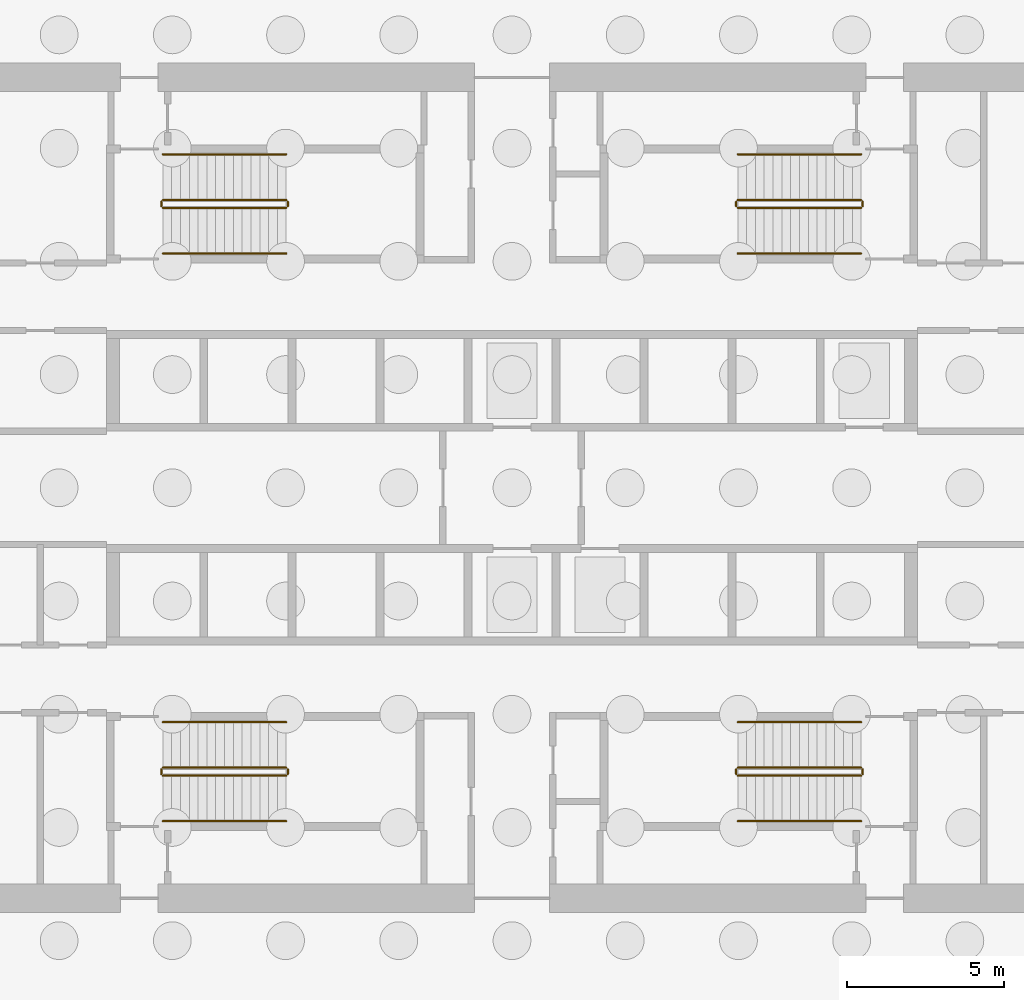
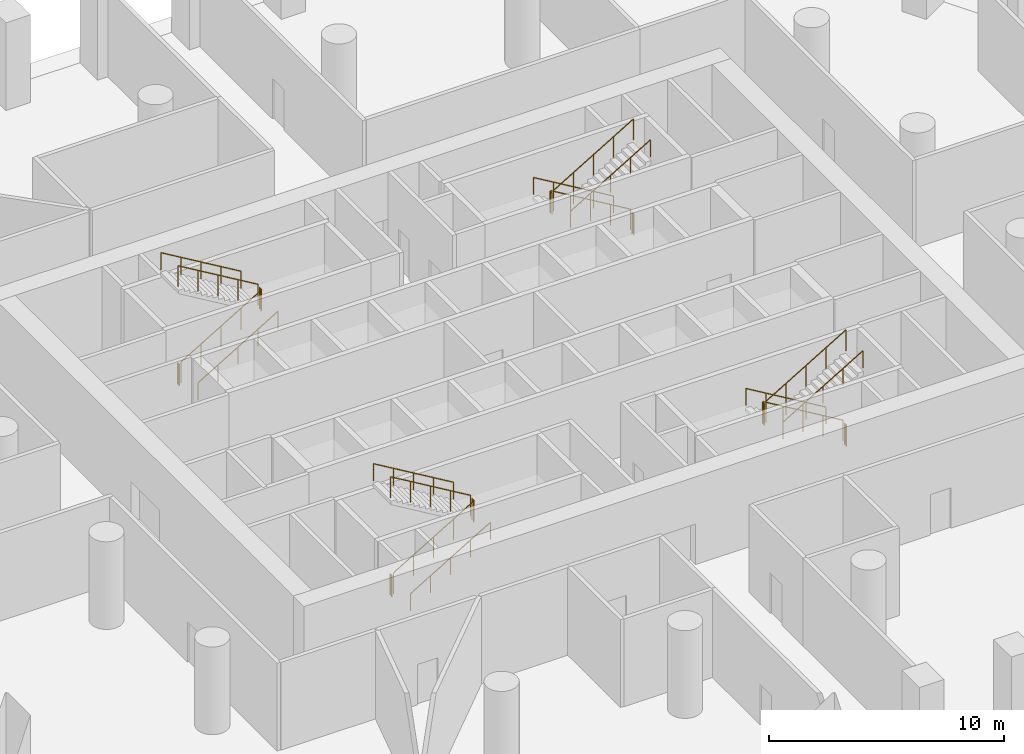
# One storey, part 8 of 9: 24 railings.
"""IFC4 building model written with IfcOpenShell, lengths in metres."""

from ifc_helpers import new_model, si_unit, direction, frame, origin, origin_2d, place, context, subcontext, project, spatial, circle, extrude, material, type_object, element, save


model = new_model("IFC4")

# Units and contexts
model_context = context("Model", 3, precision=1e-05, world=origin(), true_north=direction((0.0, 1.0)))
body_context = subcontext(model_context, "Body", "Model", "MODEL_VIEW")
ifc_project = project(units=[si_unit("LENGTHUNIT", "METRE"), si_unit("AREAUNIT", "SQUARE_METRE"), si_unit("VOLUMEUNIT", "CUBIC_METRE"), si_unit("PLANEANGLEUNIT", "RADIAN"), si_unit("MASSUNIT", "GRAM", prefix="KILO")], contexts=[model_context])

# Site, building, storey
site_placement = place(None, origin())
site = spatial("IfcSite", under=ifc_project, at=site_placement, CompositionType="ELEMENT")
building_placement = place(site_placement, origin())
building = spatial("IfcBuilding", under=site, at=building_placement, Name="Dhurran Vertical Campus", CompositionType="ELEMENT")
storey_placement = place(building_placement, frame((0.0, 0.0, -5.0)))
storey = spatial("IfcBuildingStorey", under=building, at=storey_placement, Name="B1", CompositionType="ELEMENT", Elevation=-5.0)

# Railings
ifc_material_1 = material(Name="Stainless steel balustrade", Category="steel")
railing_type_1 = type_object("IfcRailingType", Name="co-RL-GUARD-1100", PredefinedType="GUARDRAIL", material=ifc_material_1)
railing_1_placement = place(storey_placement, frame((-11.10009765625, 8.89990234375, 0.166748046875)))
element("IfcRailing", 1, at=railing_1_placement, inside=storey, type_object=railing_type_1, Name="B1 ST1 stair guard 1", PredefinedType="GUARDRAIL", context=body_context, shape_type="SweptSolid", body=[
    extrude(circle(Radius=0.02392578125, at=origin_2d()), frame((0.0, 0.0, 1.076171875), z_axis=(0.859310244771, 0.0, 0.511454693235), x_axis=(0.0, 1.0, 0.0)), (0.0, 0.0, 1.0), 4.56201171875),
    extrude(circle(Radius=0.02099609375, at=origin_2d()), origin(), (0.0, 0.0, 1.0), 1.052001953125),
    extrude(circle(Radius=0.02099609375, at=origin_2d()), frame((0.97998046875, 0.0, 0.583251953125)), (0.0, 0.0, 1.0), 1.052001953125),
    extrude(circle(Radius=0.02099609375, at=origin_2d()), frame((1.9599609375, 0.0, 1.16650390625)), (0.0, 0.0, 1.0), 1.052001953125),
    extrude(circle(Radius=0.02099609375, at=origin_2d()), frame((2.940185546875, 0.0, 1.75)), (0.0, 0.0, 1.0), 1.052001953125),
    extrude(circle(Radius=0.02099609375, at=origin_2d()), frame((3.920166015625, 0.0, 2.333251953125)), (0.0, 0.0, 1.0), 1.052001953125),
])
railing_2_placement = place(storey_placement, frame((-7.1298828125, 8.949951171875, 2.5)))
element("IfcRailing", 2, at=railing_2_placement, inside=storey, type_object=railing_type_1, Name="B1 ST1 stair guard 2", PredefinedType="GUARDRAIL", context=body_context, shape_type="SweptSolid", body=[
    extrude(circle(Radius=0.02392578125, at=origin_2d()), frame((0.0, 0.0, 1.076171875), z_axis=(0.0, 1.0, 0.0), x_axis=(-1.0, 0.0, 0.0)), (0.0, 0.0, 1.0), 0.150146484375),
    extrude(circle(Radius=0.02099609375, at=origin_2d()), origin(), (0.0, 0.0, 1.0), 1.052001953125),
    extrude(circle(Radius=0.02099609375, at=origin_2d()), frame((0.0, 0.150146484375, 0.0)), (0.0, 0.0, 1.0), 1.052001953125),
])
railing_3_placement = place(storey_placement, frame((-7.179931640625, 9.14990234375, 2.666748046875)))
element("IfcRailing", 3, at=railing_3_placement, inside=storey, type_object=railing_type_1, Name="B1 ST1 stair guard 3", PredefinedType="GUARDRAIL", context=body_context, shape_type="SweptSolid", body=[
    extrude(circle(Radius=0.02392578125, at=origin_2d()), frame((0.0, 0.0, 1.076171875), z_axis=(-0.859310244771, 0.0, 0.511454693235), x_axis=(0.0, -1.0, 0.0)), (0.0, 0.0, 1.0), 4.56201171875),
    extrude(circle(Radius=0.02099609375, at=origin_2d()), origin(), (0.0, 0.0, 1.0), 1.052001953125),
    extrude(circle(Radius=0.02099609375, at=origin_2d()), frame((-0.97998046875, 0.0, 0.583251953125)), (0.0, 0.0, 1.0), 1.052001953125),
    extrude(circle(Radius=0.02099609375, at=origin_2d()), frame((-1.9599609375, 0.0, 1.16650390625)), (0.0, 0.0, 1.0), 1.052001953125),
    extrude(circle(Radius=0.02099609375, at=origin_2d()), frame((-2.940185546875, 0.0, 1.75)), (0.0, 0.0, 1.0), 1.052001953125),
    extrude(circle(Radius=0.02099609375, at=origin_2d()), frame((-3.920166015625, 0.0, 2.333251953125)), (0.0, 0.0, 1.0), 1.052001953125),
])
railing_4_placement = place(storey_placement, frame((-11.14990234375, 8.949951171875, 0.0)))
element("IfcRailing", 4, at=railing_4_placement, inside=storey, type_object=railing_type_1, Name="B1 ST1 stair guard 4", PredefinedType="GUARDRAIL", context=body_context, shape_type="SweptSolid", body=[
    extrude(circle(Radius=0.02392578125, at=origin_2d()), frame((0.0, 0.0, 1.076171875), z_axis=(0.0, 1.0, 0.0), x_axis=(-1.0, 0.0, 0.0)), (0.0, 0.0, 1.0), 0.150146484375),
    extrude(circle(Radius=0.02099609375, at=origin_2d()), origin(), (0.0, 0.0, 1.0), 1.052001953125),
    extrude(circle(Radius=0.02099609375, at=origin_2d()), frame((0.0, 0.150146484375, 0.0)), (0.0, 0.0, 1.0), 1.052001953125),
])
railing_5_placement = place(storey_placement, frame((11.10009765625, 9.14990234375, 0.166748046875)))
element("IfcRailing", 5, at=railing_5_placement, inside=storey, type_object=railing_type_1, Name="B1 ST2 stair guard 1", PredefinedType="GUARDRAIL", context=body_context, shape_type="SweptSolid", body=[
    extrude(circle(Radius=0.02392578125, at=origin_2d()), frame((0.0, 0.0, 1.076171875), z_axis=(-0.859310244771, 0.0, 0.511454693235), x_axis=(0.0, -1.0, 0.0)), (0.0, 0.0, 1.0), 4.56201171875),
    extrude(circle(Radius=0.02099609375, at=origin_2d()), origin(), (0.0, 0.0, 1.0), 1.052001953125),
    extrude(circle(Radius=0.02099609375, at=origin_2d()), frame((-0.97998046875, 0.0, 0.583251953125)), (0.0, 0.0, 1.0), 1.052001953125),
    extrude(circle(Radius=0.02099609375, at=origin_2d()), frame((-1.9599609375, 0.0, 1.16650390625)), (0.0, 0.0, 1.0), 1.052001953125),
    extrude(circle(Radius=0.02099609375, at=origin_2d()), frame((-2.940185546875, 0.0, 1.75)), (0.0, 0.0, 1.0), 1.052001953125),
    extrude(circle(Radius=0.02099609375, at=origin_2d()), frame((-3.920166015625, 0.0, 2.333251953125)), (0.0, 0.0, 1.0), 1.052001953125),
])
railing_6_placement = place(storey_placement, frame((7.1298828125, 9.10009765625, 2.5)))
element("IfcRailing", 6, at=railing_6_placement, inside=storey, type_object=railing_type_1, Name="B1 ST2 stair guard 2", PredefinedType="GUARDRAIL", context=body_context, shape_type="SweptSolid", body=[
    extrude(circle(Radius=0.02392578125, at=origin_2d()), frame((0.0, 0.0, 1.076171875), z_axis=(0.0, -1.0, 0.0), x_axis=(1.0, 0.0, 0.0)), (0.0, 0.0, 1.0), 0.150146484375),
    extrude(circle(Radius=0.02099609375, at=origin_2d()), origin(), (0.0, 0.0, 1.0), 1.052001953125),
    extrude(circle(Radius=0.02099609375, at=origin_2d()), frame((0.0, -0.150146484375, 0.0)), (0.0, 0.0, 1.0), 1.052001953125),
])
railing_7_placement = place(storey_placement, frame((7.179931640625, 8.89990234375, 2.666748046875)))
element("IfcRailing", 7, at=railing_7_placement, inside=storey, type_object=railing_type_1, Name="B1 ST2 stair guard 3", PredefinedType="GUARDRAIL", context=body_context, shape_type="SweptSolid", body=[
    extrude(circle(Radius=0.02392578125, at=origin_2d()), frame((0.0, 0.0, 1.076171875), z_axis=(0.859310244771, 0.0, 0.511454693235), x_axis=(0.0, 1.0, 0.0)), (0.0, 0.0, 1.0), 4.56201171875),
    extrude(circle(Radius=0.02099609375, at=origin_2d()), origin(), (0.0, 0.0, 1.0), 1.052001953125),
    extrude(circle(Radius=0.02099609375, at=origin_2d()), frame((0.97998046875, 0.0, 0.583251953125)), (0.0, 0.0, 1.0), 1.052001953125),
    extrude(circle(Radius=0.02099609375, at=origin_2d()), frame((1.9599609375, 0.0, 1.16650390625)), (0.0, 0.0, 1.0), 1.052001953125),
    extrude(circle(Radius=0.02099609375, at=origin_2d()), frame((2.940185546875, 0.0, 1.75)), (0.0, 0.0, 1.0), 1.052001953125),
    extrude(circle(Radius=0.02099609375, at=origin_2d()), frame((3.920166015625, 0.0, 2.333251953125)), (0.0, 0.0, 1.0), 1.052001953125),
])
railing_8_placement = place(storey_placement, frame((11.14990234375, 9.10009765625, 0.0)))
element("IfcRailing", 8, at=railing_8_placement, inside=storey, type_object=railing_type_1, Name="B1 ST2 stair guard 4", PredefinedType="GUARDRAIL", context=body_context, shape_type="SweptSolid", body=[
    extrude(circle(Radius=0.02392578125, at=origin_2d()), frame((0.0, 0.0, 1.076171875), z_axis=(0.0, -1.0, 0.0), x_axis=(1.0, 0.0, 0.0)), (0.0, 0.0, 1.0), 0.150146484375),
    extrude(circle(Radius=0.02099609375, at=origin_2d()), origin(), (0.0, 0.0, 1.0), 1.052001953125),
    extrude(circle(Radius=0.02099609375, at=origin_2d()), frame((0.0, -0.150146484375, 0.0)), (0.0, 0.0, 1.0), 1.052001953125),
])
railing_9_placement = place(storey_placement, frame((-11.10009765625, -9.14990234375, 0.166748046875)))
element("IfcRailing", 9, at=railing_9_placement, inside=storey, type_object=railing_type_1, Name="B1 ST3 stair guard 1", PredefinedType="GUARDRAIL", context=body_context, shape_type="SweptSolid", body=[
    extrude(circle(Radius=0.02392578125, at=origin_2d()), frame((0.0, 0.0, 1.076171875), z_axis=(0.859310244771, 0.0, 0.511454693235), x_axis=(0.0, 1.0, 0.0)), (0.0, 0.0, 1.0), 4.56201171875),
    extrude(circle(Radius=0.02099609375, at=origin_2d()), origin(), (0.0, 0.0, 1.0), 1.052001953125),
    extrude(circle(Radius=0.02099609375, at=origin_2d()), frame((0.97998046875, 0.0, 0.583251953125)), (0.0, 0.0, 1.0), 1.052001953125),
    extrude(circle(Radius=0.02099609375, at=origin_2d()), frame((1.9599609375, 0.0, 1.16650390625)), (0.0, 0.0, 1.0), 1.052001953125),
    extrude(circle(Radius=0.02099609375, at=origin_2d()), frame((2.940185546875, 0.0, 1.75)), (0.0, 0.0, 1.0), 1.052001953125),
    extrude(circle(Radius=0.02099609375, at=origin_2d()), frame((3.920166015625, 0.0, 2.333251953125)), (0.0, 0.0, 1.0), 1.052001953125),
])
railing_10_placement = place(storey_placement, frame((-7.1298828125, -9.10009765625, 2.5)))
element("IfcRailing", 10, at=railing_10_placement, inside=storey, type_object=railing_type_1, Name="B1 ST3 stair guard 2", PredefinedType="GUARDRAIL", context=body_context, shape_type="SweptSolid", body=[
    extrude(circle(Radius=0.02392578125, at=origin_2d()), frame((0.0, 0.0, 1.076171875), z_axis=(0.0, 1.0, 0.0), x_axis=(-1.0, 0.0, 0.0)), (0.0, 0.0, 1.0), 0.150146484375),
    extrude(circle(Radius=0.02099609375, at=origin_2d()), origin(), (0.0, 0.0, 1.0), 1.052001953125),
    extrude(circle(Radius=0.02099609375, at=origin_2d()), frame((0.0, 0.150146484375, 0.0)), (0.0, 0.0, 1.0), 1.052001953125),
])
railing_11_placement = place(storey_placement, frame((-7.179931640625, -8.89990234375, 2.666748046875)))
element("IfcRailing", 11, at=railing_11_placement, inside=storey, type_object=railing_type_1, Name="B1 ST3 stair guard 3", PredefinedType="GUARDRAIL", context=body_context, shape_type="SweptSolid", body=[
    extrude(circle(Radius=0.02392578125, at=origin_2d()), frame((0.0, 0.0, 1.076171875), z_axis=(-0.859310244771, 0.0, 0.511454693235), x_axis=(0.0, -1.0, 0.0)), (0.0, 0.0, 1.0), 4.56201171875),
    extrude(circle(Radius=0.02099609375, at=origin_2d()), origin(), (0.0, 0.0, 1.0), 1.052001953125),
    extrude(circle(Radius=0.02099609375, at=origin_2d()), frame((-0.97998046875, 0.0, 0.583251953125)), (0.0, 0.0, 1.0), 1.052001953125),
    extrude(circle(Radius=0.02099609375, at=origin_2d()), frame((-1.9599609375, 0.0, 1.16650390625)), (0.0, 0.0, 1.0), 1.052001953125),
    extrude(circle(Radius=0.02099609375, at=origin_2d()), frame((-2.940185546875, 0.0, 1.75)), (0.0, 0.0, 1.0), 1.052001953125),
    extrude(circle(Radius=0.02099609375, at=origin_2d()), frame((-3.920166015625, 0.0, 2.333251953125)), (0.0, 0.0, 1.0), 1.052001953125),
])
railing_12_placement = place(storey_placement, frame((-11.14990234375, -9.10009765625, 0.0)))
element("IfcRailing", 12, at=railing_12_placement, inside=storey, type_object=railing_type_1, Name="B1 ST3 stair guard 4", PredefinedType="GUARDRAIL", context=body_context, shape_type="SweptSolid", body=[
    extrude(circle(Radius=0.02392578125, at=origin_2d()), frame((0.0, 0.0, 1.076171875), z_axis=(0.0, 1.0, 0.0), x_axis=(-1.0, 0.0, 0.0)), (0.0, 0.0, 1.0), 0.150146484375),
    extrude(circle(Radius=0.02099609375, at=origin_2d()), origin(), (0.0, 0.0, 1.0), 1.052001953125),
    extrude(circle(Radius=0.02099609375, at=origin_2d()), frame((0.0, 0.150146484375, 0.0)), (0.0, 0.0, 1.0), 1.052001953125),
])
railing_13_placement = place(storey_placement, frame((11.10009765625, -8.89990234375, 0.166748046875)))
element("IfcRailing", 13, at=railing_13_placement, inside=storey, type_object=railing_type_1, Name="B1 ST4 stair guard 1", PredefinedType="GUARDRAIL", context=body_context, shape_type="SweptSolid", body=[
    extrude(circle(Radius=0.02392578125, at=origin_2d()), frame((0.0, 0.0, 1.076171875), z_axis=(-0.859310244771, 0.0, 0.511454693235), x_axis=(0.0, -1.0, 0.0)), (0.0, 0.0, 1.0), 4.56201171875),
    extrude(circle(Radius=0.02099609375, at=origin_2d()), origin(), (0.0, 0.0, 1.0), 1.052001953125),
    extrude(circle(Radius=0.02099609375, at=origin_2d()), frame((-0.97998046875, 0.0, 0.583251953125)), (0.0, 0.0, 1.0), 1.052001953125),
    extrude(circle(Radius=0.02099609375, at=origin_2d()), frame((-1.9599609375, 0.0, 1.16650390625)), (0.0, 0.0, 1.0), 1.052001953125),
    extrude(circle(Radius=0.02099609375, at=origin_2d()), frame((-2.940185546875, 0.0, 1.75)), (0.0, 0.0, 1.0), 1.052001953125),
    extrude(circle(Radius=0.02099609375, at=origin_2d()), frame((-3.920166015625, 0.0, 2.333251953125)), (0.0, 0.0, 1.0), 1.052001953125),
])
railing_14_placement = place(storey_placement, frame((7.1298828125, -8.949951171875, 2.5)))
element("IfcRailing", 14, at=railing_14_placement, inside=storey, type_object=railing_type_1, Name="B1 ST4 stair guard 2", PredefinedType="GUARDRAIL", context=body_context, shape_type="SweptSolid", body=[
    extrude(circle(Radius=0.02392578125, at=origin_2d()), frame((0.0, 0.0, 1.076171875), z_axis=(0.0, -1.0, 0.0), x_axis=(1.0, 0.0, 0.0)), (0.0, 0.0, 1.0), 0.150146484375),
    extrude(circle(Radius=0.02099609375, at=origin_2d()), origin(), (0.0, 0.0, 1.0), 1.052001953125),
    extrude(circle(Radius=0.02099609375, at=origin_2d()), frame((0.0, -0.150146484375, 0.0)), (0.0, 0.0, 1.0), 1.052001953125),
])
railing_15_placement = place(storey_placement, frame((7.179931640625, -9.14990234375, 2.666748046875)))
element("IfcRailing", 15, at=railing_15_placement, inside=storey, type_object=railing_type_1, Name="B1 ST4 stair guard 3", PredefinedType="GUARDRAIL", context=body_context, shape_type="SweptSolid", body=[
    extrude(circle(Radius=0.02392578125, at=origin_2d()), frame((0.0, 0.0, 1.076171875), z_axis=(0.859310244771, 0.0, 0.511454693235), x_axis=(0.0, 1.0, 0.0)), (0.0, 0.0, 1.0), 4.56201171875),
    extrude(circle(Radius=0.02099609375, at=origin_2d()), origin(), (0.0, 0.0, 1.0), 1.052001953125),
    extrude(circle(Radius=0.02099609375, at=origin_2d()), frame((0.97998046875, 0.0, 0.583251953125)), (0.0, 0.0, 1.0), 1.052001953125),
    extrude(circle(Radius=0.02099609375, at=origin_2d()), frame((1.9599609375, 0.0, 1.16650390625)), (0.0, 0.0, 1.0), 1.052001953125),
    extrude(circle(Radius=0.02099609375, at=origin_2d()), frame((2.940185546875, 0.0, 1.75)), (0.0, 0.0, 1.0), 1.052001953125),
    extrude(circle(Radius=0.02099609375, at=origin_2d()), frame((3.920166015625, 0.0, 2.333251953125)), (0.0, 0.0, 1.0), 1.052001953125),
])
railing_16_placement = place(storey_placement, frame((11.14990234375, -8.949951171875, 0.0)))
element("IfcRailing", 16, at=railing_16_placement, inside=storey, type_object=railing_type_1, Name="B1 ST4 stair guard 4", PredefinedType="GUARDRAIL", context=body_context, shape_type="SweptSolid", body=[
    extrude(circle(Radius=0.02392578125, at=origin_2d()), frame((0.0, 0.0, 1.076171875), z_axis=(0.0, -1.0, 0.0), x_axis=(1.0, 0.0, 0.0)), (0.0, 0.0, 1.0), 0.150146484375),
    extrude(circle(Radius=0.02099609375, at=origin_2d()), origin(), (0.0, 0.0, 1.0), 1.052001953125),
    extrude(circle(Radius=0.02099609375, at=origin_2d()), frame((0.0, -0.150146484375, 0.0)), (0.0, 0.0, 1.0), 1.052001953125),
])
ifc_material_2 = material(Name="Stainless steel handrail", Category="steel")
railing_type_2 = type_object("IfcRailingType", Name="co-RL-HANDRAIL-900", PredefinedType="HANDRAIL", material=ifc_material_2)
railing_17_placement = place(storey_placement, frame((-11.10009765625, 7.449951171875, 0.166748046875)))
element("IfcRailing", 17, at=railing_17_placement, inside=storey, type_object=railing_type_2, Name="B1 ST1 stair handrail 1", PredefinedType="HANDRAIL", context=body_context, shape_type="SweptSolid", body=[
    extrude(circle(Radius=0.02392578125, at=origin_2d()), frame((0.0, 0.0, 0.8759765625), z_axis=(0.859310244771, 0.0, 0.511454693235), x_axis=(0.0, 1.0, 0.0)), (0.0, 0.0, 1.0), 4.56201171875),
    extrude(circle(Radius=0.02099609375, at=origin_2d()), origin(), (0.0, 0.0, 1.0), 0.851806640625),
    extrude(circle(Radius=0.02099609375, at=origin_2d()), frame((0.97998046875, 0.0, 0.583251953125)), (0.0, 0.0, 1.0), 0.851806640625),
    extrude(circle(Radius=0.02099609375, at=origin_2d()), frame((1.9599609375, 0.0, 1.16650390625)), (0.0, 0.0, 1.0), 0.851806640625),
    extrude(circle(Radius=0.02099609375, at=origin_2d()), frame((2.940185546875, 0.0, 1.75)), (0.0, 0.0, 1.0), 0.851806640625),
    extrude(circle(Radius=0.02099609375, at=origin_2d()), frame((3.920166015625, 0.0, 2.333251953125)), (0.0, 0.0, 1.0), 0.851806640625),
])
for number, where, name in (
    (18, (-7.179931640625, 10.60009765625, 2.666748046875), "B1 ST1 stair handrail 2"),
    (19, (11.10009765625, 10.60009765625, 0.166748046875), "B1 ST2 stair handrail 1"),
):
    element("IfcRailing", number, at=place(storey_placement, frame(where)), inside=storey, type_object=railing_type_2, Name=name, PredefinedType="HANDRAIL", context=body_context, shape_type="SweptSolid", body=[
        extrude(circle(Radius=0.02392578125, at=origin_2d()), frame((0.0, 0.0, 0.8759765625), z_axis=(-0.859310244771, 0.0, 0.511454693235), x_axis=(0.0, -1.0, 0.0)), (0.0, 0.0, 1.0), 4.56201171875),
        extrude(circle(Radius=0.02099609375, at=origin_2d()), origin(), (0.0, 0.0, 1.0), 0.851806640625),
        extrude(circle(Radius=0.02099609375, at=origin_2d()), frame((-0.97998046875, 0.0, 0.583251953125)), (0.0, 0.0, 1.0), 0.851806640625),
        extrude(circle(Radius=0.02099609375, at=origin_2d()), frame((-1.9599609375, 0.0, 1.16650390625)), (0.0, 0.0, 1.0), 0.851806640625),
        extrude(circle(Radius=0.02099609375, at=origin_2d()), frame((-2.940185546875, 0.0, 1.75)), (0.0, 0.0, 1.0), 0.851806640625),
        extrude(circle(Radius=0.02099609375, at=origin_2d()), frame((-3.920166015625, 0.0, 2.333251953125)), (0.0, 0.0, 1.0), 0.851806640625),
    ])
for number, where, name in (
    (20, (7.179931640625, 7.449951171875, 2.666748046875), "B1 ST2 stair handrail 2"),
    (21, (-11.10009765625, -10.60009765625, 0.166748046875), "B1 ST3 stair handrail 1"),
):
    element("IfcRailing", number, at=place(storey_placement, frame(where)), inside=storey, type_object=railing_type_2, Name=name, PredefinedType="HANDRAIL", context=body_context, shape_type="SweptSolid", body=[
        extrude(circle(Radius=0.02392578125, at=origin_2d()), frame((0.0, 0.0, 0.8759765625), z_axis=(0.859310244771, 0.0, 0.511454693235), x_axis=(0.0, 1.0, 0.0)), (0.0, 0.0, 1.0), 4.56201171875),
        extrude(circle(Radius=0.02099609375, at=origin_2d()), origin(), (0.0, 0.0, 1.0), 0.851806640625),
        extrude(circle(Radius=0.02099609375, at=origin_2d()), frame((0.97998046875, 0.0, 0.583251953125)), (0.0, 0.0, 1.0), 0.851806640625),
        extrude(circle(Radius=0.02099609375, at=origin_2d()), frame((1.9599609375, 0.0, 1.16650390625)), (0.0, 0.0, 1.0), 0.851806640625),
        extrude(circle(Radius=0.02099609375, at=origin_2d()), frame((2.940185546875, 0.0, 1.75)), (0.0, 0.0, 1.0), 0.851806640625),
        extrude(circle(Radius=0.02099609375, at=origin_2d()), frame((3.920166015625, 0.0, 2.333251953125)), (0.0, 0.0, 1.0), 0.851806640625),
    ])
for number, where, name in (
    (22, (-7.179931640625, -7.449951171875, 2.666748046875), "B1 ST3 stair handrail 2"),
    (23, (11.10009765625, -7.449951171875, 0.166748046875), "B1 ST4 stair handrail 1"),
):
    element("IfcRailing", number, at=place(storey_placement, frame(where)), inside=storey, type_object=railing_type_2, Name=name, PredefinedType="HANDRAIL", context=body_context, shape_type="SweptSolid", body=[
        extrude(circle(Radius=0.02392578125, at=origin_2d()), frame((0.0, 0.0, 0.8759765625), z_axis=(-0.859310244771, 0.0, 0.511454693235), x_axis=(0.0, -1.0, 0.0)), (0.0, 0.0, 1.0), 4.56201171875),
        extrude(circle(Radius=0.02099609375, at=origin_2d()), origin(), (0.0, 0.0, 1.0), 0.851806640625),
        extrude(circle(Radius=0.02099609375, at=origin_2d()), frame((-0.97998046875, 0.0, 0.583251953125)), (0.0, 0.0, 1.0), 0.851806640625),
        extrude(circle(Radius=0.02099609375, at=origin_2d()), frame((-1.9599609375, 0.0, 1.16650390625)), (0.0, 0.0, 1.0), 0.851806640625),
        extrude(circle(Radius=0.02099609375, at=origin_2d()), frame((-2.940185546875, 0.0, 1.75)), (0.0, 0.0, 1.0), 0.851806640625),
        extrude(circle(Radius=0.02099609375, at=origin_2d()), frame((-3.920166015625, 0.0, 2.333251953125)), (0.0, 0.0, 1.0), 0.851806640625),
    ])
railing_18_placement = place(storey_placement, frame((7.179931640625, -10.60009765625, 2.666748046875)))
element("IfcRailing", 24, at=railing_18_placement, inside=storey, type_object=railing_type_2, Name="B1 ST4 stair handrail 2", PredefinedType="HANDRAIL", context=body_context, shape_type="SweptSolid", body=[
    extrude(circle(Radius=0.02392578125, at=origin_2d()), frame((0.0, 0.0, 0.8759765625), z_axis=(0.859310244771, 0.0, 0.511454693235), x_axis=(0.0, 1.0, 0.0)), (0.0, 0.0, 1.0), 4.56201171875),
    extrude(circle(Radius=0.02099609375, at=origin_2d()), origin(), (0.0, 0.0, 1.0), 0.851806640625),
    extrude(circle(Radius=0.02099609375, at=origin_2d()), frame((0.97998046875, 0.0, 0.583251953125)), (0.0, 0.0, 1.0), 0.851806640625),
    extrude(circle(Radius=0.02099609375, at=origin_2d()), frame((1.9599609375, 0.0, 1.16650390625)), (0.0, 0.0, 1.0), 0.851806640625),
    extrude(circle(Radius=0.02099609375, at=origin_2d()), frame((2.940185546875, 0.0, 1.75)), (0.0, 0.0, 1.0), 0.851806640625),
    extrude(circle(Radius=0.02099609375, at=origin_2d()), frame((3.920166015625, 0.0, 2.333251953125)), (0.0, 0.0, 1.0), 0.851806640625),
])

save(model, "model.ifc")
